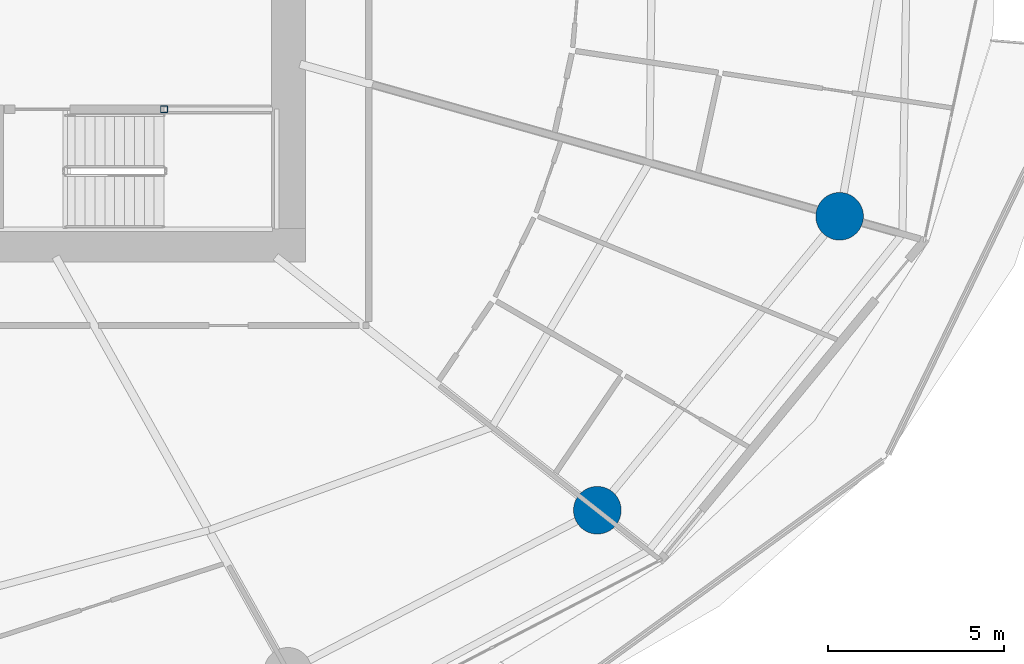
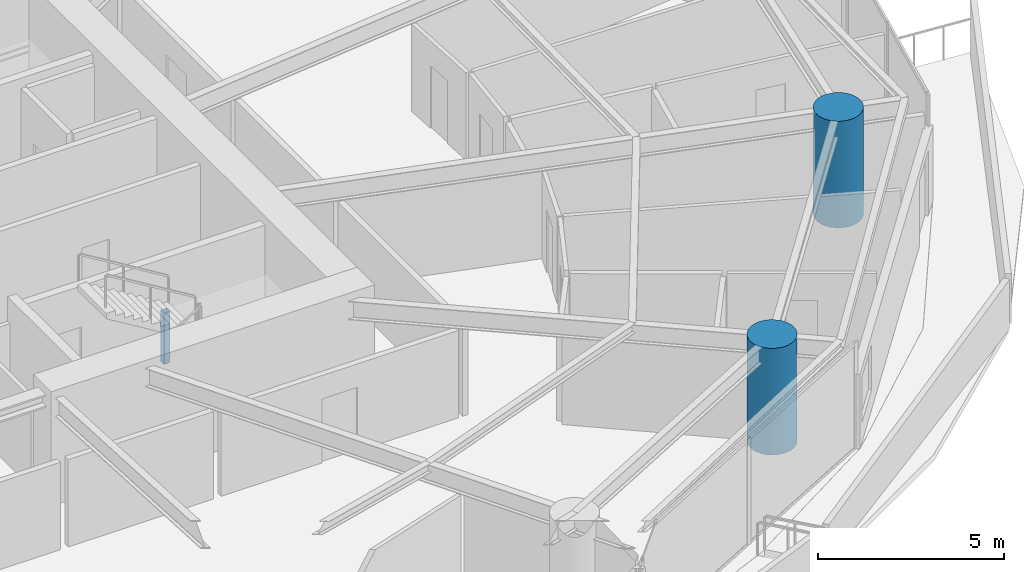
# One storey, part 3 of 30: 3 columns.
"""IFC4 building model written with IfcOpenShell, lengths in metres."""

from ifc_helpers import new_model, si_unit, direction, frame, origin, origin_2d, place, context, subcontext, project, spatial, hollow_rectangle, circle, extrude, material, material_profile, profile_set, type_object, element, save


model = new_model("IFC4")

# Units and contexts
model_context = context("Model", 3, precision=1e-05, world=origin(), true_north=direction((0.0, 1.0)))
body_context = subcontext(model_context, "Body", "Model", "MODEL_VIEW")
ifc_project = project(units=[si_unit("LENGTHUNIT", "METRE"), si_unit("AREAUNIT", "SQUARE_METRE"), si_unit("VOLUMEUNIT", "CUBIC_METRE"), si_unit("PLANEANGLEUNIT", "RADIAN"), si_unit("MASSUNIT", "GRAM", prefix="KILO")], contexts=[model_context])

# Site, building, storey
site_placement = place(None, origin())
site = spatial("IfcSite", under=ifc_project, at=site_placement, CompositionType="ELEMENT")
building_placement = place(site_placement, origin())
building = spatial("IfcBuilding", under=site, at=building_placement, Name="Kazma Halo Residences", CompositionType="ELEMENT")
storey_placement = place(building_placement, frame((0.0, 0.0, 56.39990234375)))
storey = spatial("IfcBuildingStorey", under=building, at=storey_placement, Name="L13", CompositionType="ELEMENT", Elevation=56.39990234375)

# Columns
ifc_material_1 = material(Name="Steel S355", Category="steel")
ifc_material_profile_1 = material_profile(ifc_material_1, hollow_rectangle(XDim=0.199951171875, YDim=0.199951171875, WallThickness=0.010009765625, InnerFilletRadius=0.010009765625, OuterFilletRadius=0.02001953125, at=origin_2d()), Name="SHS200x200x10")
ifc_profile_set_1 = profile_set([ifc_material_profile_1], Name="Steel S355")
column_type_1 = type_object("IfcColumnType", Name="COL-LP-SHS200", PredefinedType="COLUMN", material=ifc_profile_set_1)
column_placement = place(storey_placement, frame((56.0, 37.3798828125, 0.0), z_axis=(0.0, 0.0, 1.0), x_axis=(1.0, 0.0, 0.0)))
element("IfcColumn", 1, at=column_placement, inside=storey, type_object=column_type_1, Name="L13 ST-03 landing pilaster 1", PredefinedType="COLUMN", context=body_context, shape_type="SweptSolid", body=[
    extrude(hollow_rectangle(XDim=0.199951171875, YDim=0.199951171875, WallThickness=0.010009765625, InnerFilletRadius=0.010009765625, OuterFilletRadius=0.02001953125, at=origin_2d()), origin(), (0.0, 0.0, 1.0), 1.670166015625),
])
ifc_material_2 = material(Name="Concrete C80/95", Category="concrete")
ifc_material_profile_2 = material_profile(ifc_material_2, circle(Radius=0.675048828125, at=origin_2d()), Name="CIRC1350")
ifc_profile_set_2 = profile_set([ifc_material_profile_2], Name="Concrete C80/95")
column_type_2 = type_object("IfcColumnType", Name="COL-PERIM-1350", PredefinedType="COLUMN", material=ifc_profile_set_2)
for number, where, z_axis, x_axis, name in (
    (2, (68.27587890625, 26.015869140625, 0.0), (0.0, 0.0, 1.0), (1.0, 0.0, 0.0), "L13 perimeter ring column P14"),
    (3, (75.140869140625, 34.345458984375, 0.0), (0.0, 0.0, 1.0), (1.0, 0.0, 0.0), "L13 perimeter ring column P15"),
):
    element("IfcColumn", number, at=place(storey_placement, frame(where, z_axis=z_axis, x_axis=x_axis)), inside=storey, type_object=column_type_2, Name=name, PredefinedType="COLUMN", context=body_context, shape_type="SweptSolid", body=[
        extrude(circle(Radius=0.675048828125, at=origin_2d()), origin(), (0.0, 0.0, 1.0), 3.5),
    ])

save(model, "model.ifc")
